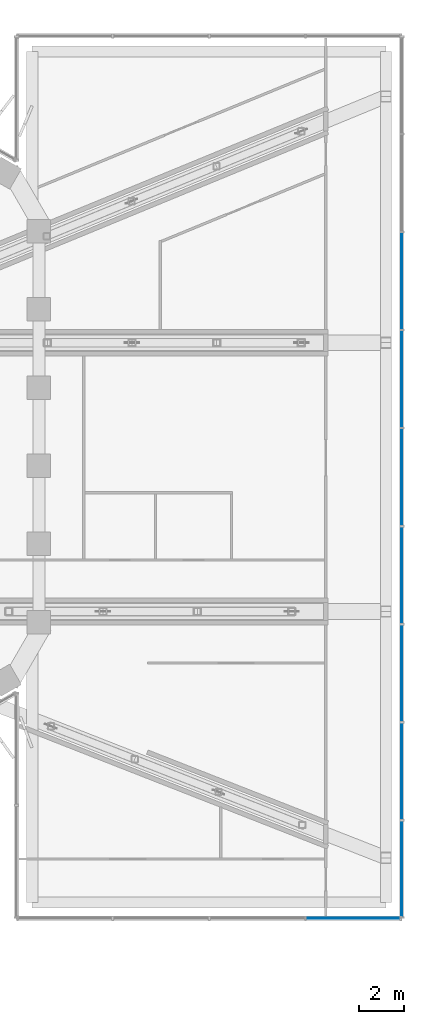
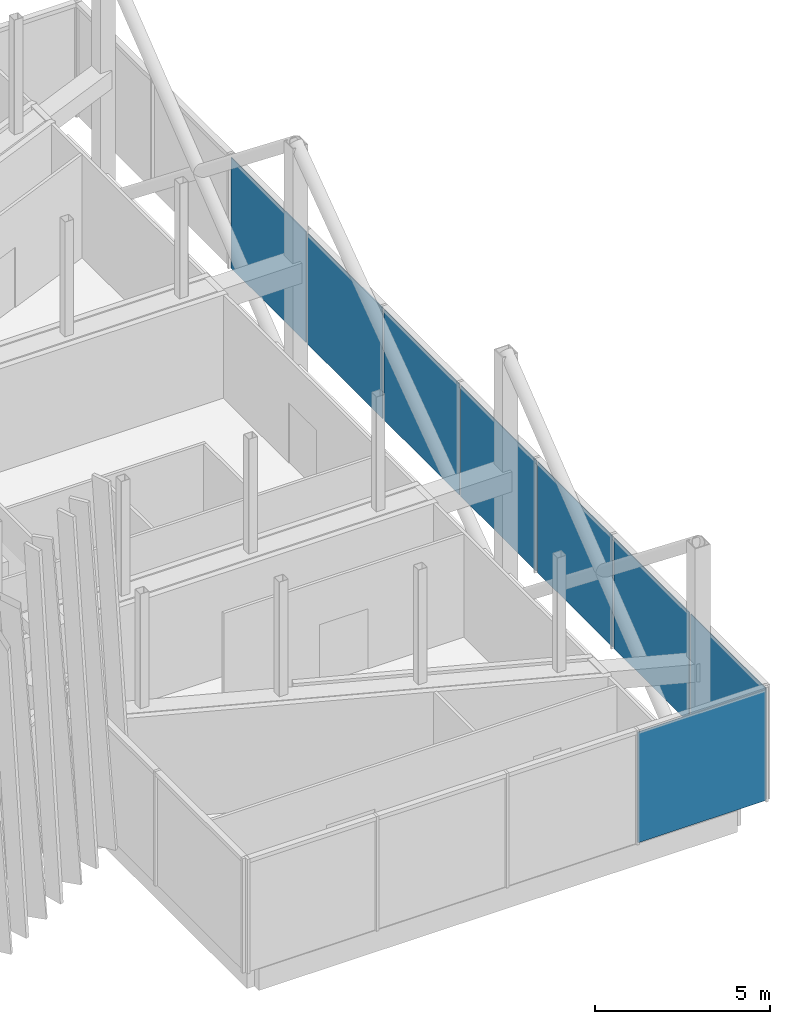
# One storey, part 16 of 28: 8 plates, 2 elements without a shape of their own.
"""IFC4 building model written with IfcOpenShell, lengths in metres."""

from ifc_helpers import new_model, si_unit, direction, frame, origin, origin_2d, place, context, subcontext, project, spatial, rectangle, extrude, material, layer, layer_set, type_object, element, aggregate, save


model = new_model("IFC4")

# Units and contexts
model_context = context("Model", 3, precision=1e-05, world=origin(), true_north=direction((0.0, 1.0)))
body_context = subcontext(model_context, "Body", "Model", "MODEL_VIEW")
ifc_project = project(units=[si_unit("LENGTHUNIT", "METRE"), si_unit("AREAUNIT", "SQUARE_METRE"), si_unit("VOLUMEUNIT", "CUBIC_METRE"), si_unit("PLANEANGLEUNIT", "RADIAN"), si_unit("MASSUNIT", "GRAM", prefix="KILO")], contexts=[model_context])

# Site, building, storey
site_placement = place(None, origin())
site = spatial("IfcSite", under=ifc_project, at=site_placement, CompositionType="ELEMENT")
building_placement = place(site_placement, origin())
building = spatial("IfcBuilding", under=site, at=building_placement, Name="Ayvan Gate Tower", CompositionType="ELEMENT")
storey_placement = place(building_placement, frame((0.0, 0.0, 120.5)))
storey = spatial("IfcBuildingStorey", under=building, at=storey_placement, Name="L32", CompositionType="ELEMENT", Elevation=120.5)

# Curtain wall, plate
ifc_material_1 = material(Name="Bronze anodised aluminium", Category="aluminium")
ifc_layer_1 = layer(ifc_material_1, 0.199951171875)
ifc_layer_set_1 = layer_set([ifc_layer_1], Name="Bronze anodised aluminium")
curtain_wall_type = type_object("IfcCurtainWallType", Name="Stick curtain wall CW-4", PredefinedType="NOTDEFINED", material=ifc_layer_set_1)
curtain_wall_1_placement = place(storey_placement, origin())
curtain_wall_1 = element("IfcCurtainWall", 1, at=curtain_wall_1_placement, inside=storey, type_object=curtain_wall_type, Name="Stick curtain wall CW-4 L32", PredefinedType="NOTDEFINED")
ifc_material_2 = material(Name="Pale anodised aluminium composite panel", Category="aluminium")
ifc_layer_2 = layer(ifc_material_2, 0.028076171875)
ifc_layer_set_2 = layer_set([ifc_layer_2], Name="Pale anodised aluminium composite panel")
plate_type = type_object("IfcPlateType", Name="Stick curtain wall CW-4 solid panel", PredefinedType="CURTAIN_PANEL", material=ifc_layer_set_2)
plate_1_placement = place(storey_placement, frame((33.53564453125, -21.949951171875, 0.0), z_axis=(0.0, 0.0, 1.0), x_axis=(1.0, 0.0, 0.0)))
plate_1 = element("IfcPlate", 2, at=plate_1_placement, type_object=plate_type, Name="CW-4 solid panel 4", PredefinedType="CURTAIN_PANEL", context=body_context, shape_type="SweptSolid", body=[
    extrude(rectangle(XDim=4.219970703125, YDim=0.028076171875, at=origin_2d()), origin(), (0.0, 0.0, 1.0), 3.860107421875),
])
aggregate(curtain_wall_1, [plate_1])

# Curtain wall, plates
curtain_wall_2_placement = place(storey_placement, origin())
curtain_wall_2 = element("IfcCurtainWall", 3, at=curtain_wall_2_placement, inside=storey, type_object=curtain_wall_type, Name="Stick curtain wall CW-4 L32", PredefinedType="NOTDEFINED")
plate_2_placement = place(storey_placement, frame((35.685546875, -19.76123046875, 0.0), z_axis=(0.0, 0.0, 1.0), x_axis=(0.0, 1.0, 0.0)))
plate_2 = element("IfcPlate", 4, at=plate_2_placement, type_object=plate_type, Name="CW-4 solid panel 1", PredefinedType="CURTAIN_PANEL", context=body_context, shape_type="SweptSolid", body=[
    extrude(rectangle(XDim=4.2978515625, YDim=0.028076171875, at=origin_2d()), origin(), (0.0, 0.0, 1.0), 3.860107421875),
])
plate_3_placement = place(storey_placement, frame((35.685546875, -15.38330078125, 0.0), z_axis=(0.0, 0.0, 1.0), x_axis=(0.0, 1.0, 0.0)))
plate_3 = element("IfcPlate", 5, at=plate_3_placement, type_object=plate_type, Name="CW-4 solid panel 2", PredefinedType="CURTAIN_PANEL", context=body_context, shape_type="SweptSolid", body=[
    extrude(rectangle(XDim=4.2978515625, YDim=0.028076171875, at=origin_2d()), origin(), (0.0, 0.0, 1.0), 3.860107421875),
])
plate_4_placement = place(storey_placement, frame((35.685546875, -11.005615234375, 0.0), z_axis=(0.0, 0.0, 1.0), x_axis=(0.0, 1.0, 0.0)))
plate_4 = element("IfcPlate", 6, at=plate_4_placement, type_object=plate_type, Name="CW-4 solid panel 3", PredefinedType="CURTAIN_PANEL", context=body_context, shape_type="SweptSolid", body=[
    extrude(rectangle(XDim=4.2978515625, YDim=0.028076171875, at=origin_2d()), origin(), (0.0, 0.0, 1.0), 3.860107421875),
])
plate_5_placement = place(storey_placement, frame((35.685546875, -6.627685546875, 0.0), z_axis=(0.0, 0.0, 1.0), x_axis=(0.0, 1.0, 0.0)))
plate_5 = element("IfcPlate", 7, at=plate_5_placement, type_object=plate_type, Name="CW-4 solid panel 4", PredefinedType="CURTAIN_PANEL", context=body_context, shape_type="SweptSolid", body=[
    extrude(rectangle(XDim=4.2978515625, YDim=0.028076171875, at=origin_2d()), origin(), (0.0, 0.0, 1.0), 3.860107421875),
])
plate_6_placement = place(storey_placement, frame((35.685546875, -2.25, 0.0), z_axis=(0.0, 0.0, 1.0), x_axis=(0.0, 1.0, 0.0)))
plate_6 = element("IfcPlate", 8, at=plate_6_placement, type_object=plate_type, Name="CW-4 solid panel 5", PredefinedType="CURTAIN_PANEL", context=body_context, shape_type="SweptSolid", body=[
    extrude(rectangle(XDim=4.2978515625, YDim=0.028076171875, at=origin_2d()), origin(), (0.0, 0.0, 1.0), 3.860107421875),
])
plate_7_placement = place(storey_placement, frame((35.685546875, 2.127685546875, 0.0), z_axis=(0.0, 0.0, 1.0), x_axis=(0.0, 1.0, 0.0)))
plate_7 = element("IfcPlate", 9, at=plate_7_placement, type_object=plate_type, Name="CW-4 solid panel 6", PredefinedType="CURTAIN_PANEL", context=body_context, shape_type="SweptSolid", body=[
    extrude(rectangle(XDim=4.2978515625, YDim=0.028076171875, at=origin_2d()), origin(), (0.0, 0.0, 1.0), 3.860107421875),
])
plate_8_placement = place(storey_placement, frame((35.685546875, 6.505615234375, 0.0), z_axis=(0.0, 0.0, 1.0), x_axis=(0.0, 1.0, 0.0)))
plate_8 = element("IfcPlate", 10, at=plate_8_placement, type_object=plate_type, Name="CW-4 solid panel 7", PredefinedType="CURTAIN_PANEL", context=body_context, shape_type="SweptSolid", body=[
    extrude(rectangle(XDim=4.2978515625, YDim=0.028076171875, at=origin_2d()), origin(), (0.0, 0.0, 1.0), 3.860107421875),
])
aggregate(curtain_wall_2, [plate_2, plate_3, plate_4, plate_5, plate_6, plate_7, plate_8])

save(model, "model.ifc")
